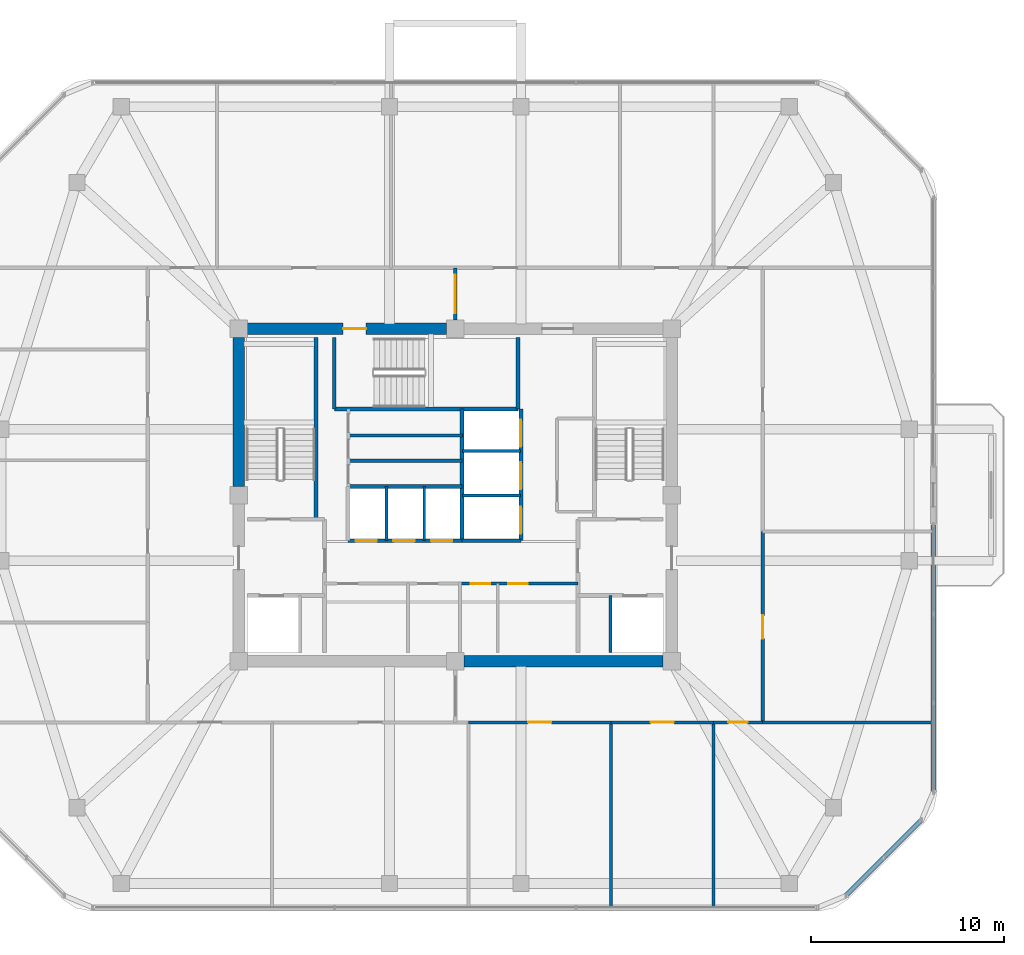
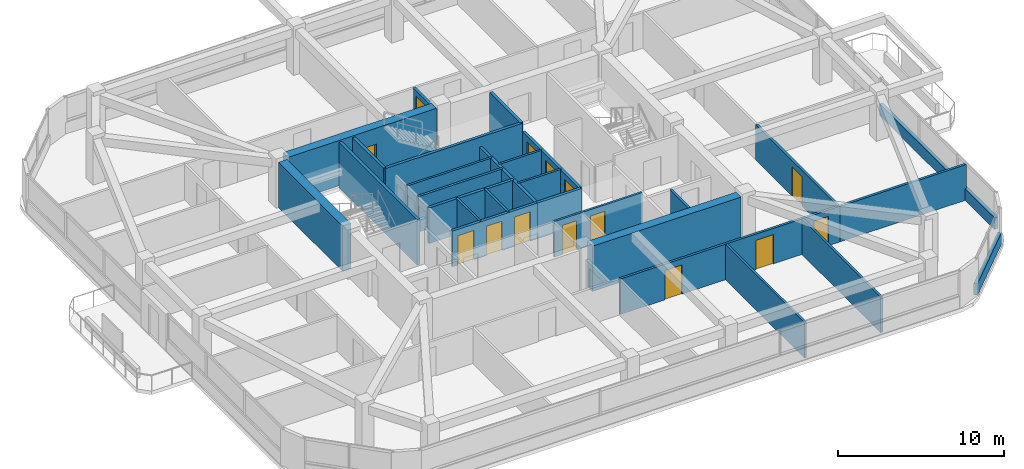
# One storey, part 10 of 14: 30 walls, 14 doors, 14 openings.
"""IFC4 building model written with IfcOpenShell, lengths in metres."""

from ifc_helpers import new_model, si_unit, derived_unit, direction, frame, frame_2d, origin, place, context, subcontext, project, spatial, rectangle, extrude, material, layer, layer_set, type_object, element, fill, save


model = new_model("IFC4")

# Units and contexts
model_context = context("Model", 3, precision=1e-05, world=origin(), true_north=direction((0.0, 1.0)))
body_context = subcontext(model_context, "Body", "Model", "MODEL_VIEW")
ifc_project = project(units=[si_unit("LENGTHUNIT", "METRE"), si_unit("AREAUNIT", "SQUARE_METRE"), si_unit("VOLUMEUNIT", "CUBIC_METRE"), si_unit("PLANEANGLEUNIT", "RADIAN"), si_unit("MASSUNIT", "GRAM", prefix="KILO"), derived_unit("THERMALTRANSMITTANCEUNIT", [(si_unit("POWERUNIT", "WATT"), 1), (si_unit("LENGTHUNIT", "METRE"), -2), (si_unit("THERMODYNAMICTEMPERATUREUNIT", "KELVIN"), -1)])], contexts=[model_context])

# Site, building, storey
site_placement = place(None, origin())
site = spatial("IfcSite", under=ifc_project, at=site_placement, CompositionType="ELEMENT")
building_placement = place(site_placement, origin())
building = spatial("IfcBuilding", under=site, at=building_placement, Name="Koralith Skygarden Medical Center", CompositionType="ELEMENT")
storey_placement = place(building_placement, frame((0.0, 0.0, 242.820068359375)))
storey = spatial("IfcBuildingStorey", under=building, at=storey_placement, Name="L62", CompositionType="ELEMENT", Elevation=242.820068359375)

# Wall, openings, doors
ifc_material_1 = material(Name="Gypsum Board Partition")
ifc_layer_1 = layer(ifc_material_1, 0.14990234375)
ifc_layer_set_1 = layer_set([ifc_layer_1], Name="Gypsum Board Partition")
wall_type_1 = type_object("IfcWallType", Name="Clinical Acoustic Partition 150", PredefinedType="PARTITIONING", material=ifc_layer_set_1)
wall_1_placement = place(storey_placement, frame((37.25, 21.320068359375, 0.0), z_axis=(0.0, 0.0, 1.0), x_axis=(1.0, 0.0, 0.0)))
wall_1 = element("IfcWall", 1, at=wall_1_placement, inside=storey, type_object=wall_type_1, Name="L62 Clinical Acoustic Partition 150 W-CORE-L62-FREED-MR-N", PredefinedType="PARTITIONING", context=body_context, shape_type="SweptSolid", body=[
    extrude(rectangle(XDim=6.10009765625, YDim=0.14990234375, at=frame_2d((3.050048828125, 0.0))), origin(), (0.0, 0.0, 1.0), 2.60986328125),
])
opening_1_placement = place(wall_1_placement, frame((0.550048828125, 0.0, 0.0)))
opening_1 = element("IfcOpeningElement", 2, at=opening_1_placement, cuts=wall_1, Name="Opening D-SUP", PredefinedType="OPENING", context=body_context, shape_type="SweptSolid", body=[
    extrude(rectangle(XDim=1.0, YDim=2.14990234375, at=frame_2d((0.5, 1.074951171875))), frame((0.0, 0.0849609375, 0.0), z_axis=(0.0, -1.0, 0.0), x_axis=(1.0, 0.0, 0.0)), (0.0, 0.0, 1.0), 0.169921875),
])
opening_2_placement = place(wall_1_placement, frame((2.5, 0.0, 0.0)))
opening_2 = element("IfcOpeningElement", 3, at=opening_2_placement, cuts=wall_1, Name="Opening D-SUP", PredefinedType="OPENING", context=body_context, shape_type="SweptSolid", body=[
    extrude(rectangle(XDim=1.0, YDim=2.14990234375, at=frame_2d((0.5, 1.074951171875))), frame((0.0, 0.0849609375, 0.0), z_axis=(0.0, -1.0, 0.0), x_axis=(1.0, 0.0, 0.0)), (0.0, 0.0, 1.0), 0.169921875),
])
ifc_material_2 = material(Name="Aluminium 6063-T6", Category="aluminium")
door_type_1 = type_object("IfcDoorType", Name="Clinical Support Door D-SUP 1000", OperationType="NOTDEFINED", PredefinedType="DOOR", material=ifc_material_2)
door_1_placement = place(opening_1_placement, frame((1.0, 0.0, 0.0), z_axis=(0.0, 0.0, 1.0), x_axis=(-1.0, 0.0, 0.0)))
door_1 = element("IfcDoor", 4, at=door_1_placement, inside=storey, type_object=door_type_1, Name="L62 Satellite Pharmacy Door", OperationType="SINGLE_SWING_LEFT", OverallHeight=2.14990234375, OverallWidth=1.0, PredefinedType="DOOR", context=body_context, shape_type="SweptSolid", body=[
    extrude(rectangle(XDim=1.0, YDim=2.14990234375, at=frame_2d((0.5, 1.074951171875))), frame((0.0, 0.02490234375, 0.0), z_axis=(0.0, -1.0, 0.0), x_axis=(1.0, 0.0, 0.0)), (0.0, 0.0, 1.0), 0.050048828125),
])
fill(opening_1, door_1)
door_2_placement = place(opening_2_placement, frame((1.0, 0.0, 0.0), z_axis=(0.0, 0.0, 1.0), x_axis=(-1.0, 0.0, 0.0)))
door_2 = element("IfcDoor", 5, at=door_2_placement, inside=storey, type_object=door_type_1, Name="L62 Biomedical Equipment Door", OperationType="SINGLE_SWING_RIGHT", OverallHeight=2.14990234375, OverallWidth=1.0, PredefinedType="DOOR", context=body_context, shape_type="SweptSolid", body=[
    extrude(rectangle(XDim=1.0, YDim=2.14990234375, at=frame_2d((0.5, 1.074951171875))), frame((0.0, 0.02490234375, 0.0), z_axis=(0.0, -1.0, 0.0), x_axis=(1.0, 0.0, 0.0)), (0.0, 0.0, 1.0), 0.050048828125),
])
fill(opening_2, door_2)

# Walls
wall_2_placement = place(storey_placement, frame((31.47998046875, 28.97998046875, 0.0), z_axis=(0.0, 0.0, 1.0), x_axis=(1.0, 0.0, 0.0)))
element("IfcWall", 6, at=wall_2_placement, inside=storey, type_object=wall_type_1, Name="L62 Clinical Acoustic Partition 150 W-CORE-L62-FLEX-H1B", PredefinedType="PARTITIONING", context=body_context, shape_type="SweptSolid", body=[
    extrude(rectangle(XDim=5.89013671875, YDim=0.14990234375, at=frame_2d((2.945068359375, 0.0))), origin(), (0.0, 0.0, 1.0), 2.60986328125),
])
for number, where, z_axis, x_axis, name in (
    (7, (45.051025390625, 14.14990234375, 0.0), (0.0, 0.0, 1.0), (0.0, -1.0, 0.0), "L62 Clinical Acoustic Partition 150 W-PART-L62-S-03"),
    (8, (50.35009765625, 14.14990234375, 0.0), (0.0, 0.0, 1.0), (0.0, -1.0, 0.0), "L62 Clinical Acoustic Partition 150 W-PART-L62-S-04"),
):
    element("IfcWall", number, at=place(storey_placement, frame(where, z_axis=z_axis, x_axis=x_axis)), inside=storey, type_object=wall_type_1, Name=name, PredefinedType="PARTITIONING", context=body_context, shape_type="SweptSolid", body=[
        extrude(rectangle(XDim=9.5498046875, YDim=0.14990234375, at=frame_2d((4.77490234375, 0.0))), origin(), (0.0, 0.0, 1.0), 2.60986328125),
    ])
ifc_layer_2 = layer(ifc_material_1, 0.1650390625)
ifc_layer_set_2 = layer_set([ifc_layer_2], Name="Gypsum Board Partition")
wall_type_2 = type_object("IfcWallType", Name="Clinical Corridor Partition 165", PredefinedType="PARTITIONING", material=ifc_layer_set_2)
wall_3_placement = place(storey_placement, frame((52.89990234375, 14.14990234375, 0.0), z_axis=(0.0, 0.0, 1.0), x_axis=(1.0, 0.0, 0.0)))
element("IfcWall", 9, at=wall_3_placement, inside=storey, type_object=wall_type_2, Name="L62 Clinical Corridor Partition 165 W-WB-L62-SE", PredefinedType="PARTITIONING", context=body_context, shape_type="SweptSolid", body=[
    extrude(rectangle(XDim=8.800048828125, YDim=0.1650390625, at=frame_2d((4.39990234375, 0.0))), origin(), (0.0, 0.0, 1.0), 2.60986328125),
])

# Wall, opening, door
wall_4_placement = place(storey_placement, frame((37.69091796875, 14.14990234375, 0.0), z_axis=(0.0, 0.0, 1.0), x_axis=(1.0, 0.0, 0.0)))
wall_4 = element("IfcWall", 10, at=wall_4_placement, inside=storey, type_object=wall_type_2, Name="L62 Clinical Corridor Partition 165 W-CORR-L62-S-03", PredefinedType="PARTITIONING", context=body_context, shape_type="SweptSolid", body=[
    extrude(rectangle(XDim=7.360107421875, YDim=0.1650390625, at=frame_2d((3.68017578125, 0.0))), origin(), (0.0, 0.0, 1.0), 2.60986328125),
])
opening_3_placement = place(wall_4_placement, frame((3.080078125, 0.0, 0.0)))
opening_3 = element("IfcOpeningElement", 11, at=opening_3_placement, cuts=wall_4, Name="Opening D-CLN", PredefinedType="OPENING", context=body_context, shape_type="SweptSolid", body=[
    extrude(rectangle(XDim=1.199951171875, YDim=2.14990234375, at=frame_2d((0.60009765625, 1.074951171875))), frame((0.0, 0.092529296875, 0.0), z_axis=(0.0, -1.0, 0.0), x_axis=(1.0, 0.0, 0.0)), (0.0, 0.0, 1.0), 0.18505859375),
])
door_type_2 = type_object("IfcDoorType", Name="Clinical Corridor Door D-CLN 1200", OperationType="NOTDEFINED", PredefinedType="DOOR", material=ifc_material_2)
door_3_placement = place(opening_3_placement, frame((1.199951171875, 0.0, 0.0), z_axis=(0.0, 0.0, 1.0), x_axis=(-1.0, 0.0, 0.0)))
door_3 = element("IfcDoor", 12, at=door_3_placement, inside=storey, type_object=door_type_2, Name="L62 Clinical Consultation Office 08 Door", OperationType="SINGLE_SWING_LEFT", OverallHeight=2.14990234375, OverallWidth=1.199951171875, PredefinedType="DOOR", context=body_context, shape_type="SweptSolid", body=[
    extrude(rectangle(XDim=1.199951171875, YDim=2.14990234375, at=frame_2d((0.60009765625, 1.074951171875))), frame((0.0, 0.02490234375, 0.0), z_axis=(0.0, -1.0, 0.0), x_axis=(1.0, 0.0, 0.0)), (0.0, 0.0, 1.0), 0.050048828125),
])
fill(opening_3, door_3)

wall_5_placement = place(storey_placement, frame((45.051025390625, 14.14990234375, 0.0), z_axis=(0.0, 0.0, 1.0), x_axis=(1.0, 0.0, 0.0)))
wall_5 = element("IfcWall", 13, at=wall_5_placement, inside=storey, type_object=wall_type_2, Name="L62 Clinical Corridor Partition 165 W-CORR-L62-S-04", PredefinedType="PARTITIONING", context=body_context, shape_type="SweptSolid", body=[
    extrude(rectangle(XDim=5.299072265625, YDim=0.1650390625, at=frame_2d((2.6494140625, 0.0))), origin(), (0.0, 0.0, 1.0), 2.60986328125),
])
opening_4_placement = place(wall_5_placement, frame((2.049072265625, 0.0, 0.0)))
opening_4 = element("IfcOpeningElement", 14, at=opening_4_placement, cuts=wall_5, Name="Opening D-CLN", PredefinedType="OPENING", context=body_context, shape_type="SweptSolid", body=[
    extrude(rectangle(XDim=1.199951171875, YDim=2.14990234375, at=frame_2d((0.60009765625, 1.074951171875))), frame((0.0, 0.092529296875, 0.0), z_axis=(0.0, -1.0, 0.0), x_axis=(1.0, 0.0, 0.0)), (0.0, 0.0, 1.0), 0.18505859375),
])
door_4_placement = place(opening_4_placement, frame((1.199951171875, 0.0, 0.0), z_axis=(0.0, 0.0, 1.0), x_axis=(-1.0, 0.0, 0.0)))
door_4 = element("IfcDoor", 15, at=door_4_placement, inside=storey, type_object=door_type_2, Name="L62 Staff Refreshment and Nutrition Pantry 09 Door", OperationType="SINGLE_SWING_RIGHT", OverallHeight=2.14990234375, OverallWidth=1.199951171875, PredefinedType="DOOR", context=body_context, shape_type="SweptSolid", body=[
    extrude(rectangle(XDim=1.199951171875, YDim=2.14990234375, at=frame_2d((0.60009765625, 1.074951171875))), frame((0.0, 0.02490234375, 0.0), z_axis=(0.0, -1.0, 0.0), x_axis=(1.0, 0.0, 0.0)), (0.0, 0.0, 1.0), 0.050048828125),
])
fill(opening_4, door_4)

wall_6_placement = place(storey_placement, frame((50.35009765625, 14.14990234375, 0.0), z_axis=(0.0, 0.0, 1.0), x_axis=(1.0, 0.0, 0.0)))
wall_6 = element("IfcWall", 16, at=wall_6_placement, inside=storey, type_object=wall_type_2, Name="L62 Clinical Corridor Partition 165 W-CORR-L62-S-05", PredefinedType="PARTITIONING", context=body_context, shape_type="SweptSolid", body=[
    extrude(rectangle(XDim=2.5498046875, YDim=0.1650390625, at=frame_2d((1.27490234375, 0.0))), origin(), (0.0, 0.0, 1.0), 2.60986328125),
])
opening_5_placement = place(wall_6_placement, frame((0.77490234375, 0.0, 0.0)))
opening_5 = element("IfcOpeningElement", 17, at=opening_5_placement, cuts=wall_6, Name="Opening D-SUP", PredefinedType="OPENING", context=body_context, shape_type="SweptSolid", body=[
    extrude(rectangle(XDim=1.0, YDim=2.14990234375, at=frame_2d((0.5, 1.074951171875))), frame((0.0, 0.092529296875, 0.0), z_axis=(0.0, -1.0, 0.0), x_axis=(1.0, 0.0, 0.0)), (0.0, 0.0, 1.0), 0.18505859375),
])
door_5_placement = place(opening_5_placement, frame((1.0, 0.0, 0.0), z_axis=(0.0, 0.0, 1.0), x_axis=(-1.0, 0.0, 0.0)))
door_5 = element("IfcDoor", 18, at=door_5_placement, inside=storey, type_object=door_type_1, Name="L62 Clinical Pharmacist Office 10 Door", OperationType="SINGLE_SWING_LEFT", OverallHeight=2.14990234375, OverallWidth=1.0, PredefinedType="DOOR", context=body_context, shape_type="SweptSolid", body=[
    extrude(rectangle(XDim=1.0, YDim=2.14990234375, at=frame_2d((0.5, 1.074951171875))), frame((0.0, 0.02490234375, 0.0), z_axis=(0.0, -1.0, 0.0), x_axis=(1.0, 0.0, 0.0)), (0.0, 0.0, 1.0), 0.050048828125),
])
fill(opening_5, door_5)

wall_7_placement = place(storey_placement, frame((52.89990234375, 14.14990234375, 0.0), z_axis=(0.0, 0.0, 1.0), x_axis=(0.0, 1.0, 0.0)))
wall_7 = element("IfcWall", 19, at=wall_7_placement, inside=storey, type_object=wall_type_2, Name="L62 Clinical Corridor Partition 165 W-CORR-L62-E-01", PredefinedType="PARTITIONING", context=body_context, shape_type="SweptSolid", body=[
    extrude(rectangle(XDim=9.8701171875, YDim=0.1650390625, at=frame_2d((4.93505859375, 0.0))), origin(), (0.0, 0.0, 1.0), 2.60986328125),
])
opening_6_placement = place(wall_7_placement, frame((4.3349609375, 0.0, 0.0)))
opening_6 = element("IfcOpeningElement", 20, at=opening_6_placement, cuts=wall_7, Name="Opening D-CLN", PredefinedType="OPENING", context=body_context, shape_type="SweptSolid", body=[
    extrude(rectangle(XDim=1.199951171875, YDim=2.14990234375, at=frame_2d((0.60009765625, 1.074951171875))), frame((0.0, 0.092529296875, 0.0), z_axis=(0.0, -1.0, 0.0), x_axis=(1.0, 0.0, 0.0)), (0.0, 0.0, 1.0), 0.18505859375),
])
door_6_placement = place(opening_6_placement, origin())
door_6 = element("IfcDoor", 21, at=door_6_placement, inside=storey, type_object=door_type_2, Name="L62 Clinical Pharmacist Office 15 Door", OperationType="SINGLE_SWING_RIGHT", OverallHeight=2.14990234375, OverallWidth=1.199951171875, PredefinedType="DOOR", context=body_context, shape_type="SweptSolid", body=[
    extrude(rectangle(XDim=1.199951171875, YDim=2.14990234375, at=frame_2d((0.60009765625, 1.074951171875))), frame((0.0, 0.02490234375, 0.0), z_axis=(0.0, -1.0, 0.0), x_axis=(1.0, 0.0, 0.0)), (0.0, 0.0, 1.0), 0.050048828125),
])
fill(opening_6, door_6)

# Wall, openings, doors
ifc_layer_3 = layer(ifc_material_1, 0.199951171875)
ifc_layer_set_3 = layer_set([ifc_layer_3], Name="Gypsum Board Partition")
wall_type_3 = type_object("IfcWallType", Name="Fire Shaft Wall 200", PredefinedType="SOLIDWALL", material=ifc_layer_set_3)
wall_8_placement = place(storey_placement, frame((31.449951171875, 23.5400390625, 0.0), z_axis=(0.0, 0.0, 1.0), x_axis=(1.0, 0.0, 0.0)))
wall_8 = element("IfcWall", 22, at=wall_8_placement, inside=storey, type_object=wall_type_3, Name="L62 Fire Shaft Wall 200 W-CORE-L62-PH-S", PredefinedType="SOLIDWALL", context=body_context, shape_type="SweptSolid", body=[
    extrude(rectangle(XDim=5.900146484375, YDim=0.199951171875, at=frame_2d((2.9501953125, 0.0))), origin(), (0.0, 0.0, 1.0), 2.60986328125),
])
opening_7_placement = place(wall_8_placement, frame((0.39990234375, 0.0, 0.0)))
opening_7 = element("IfcOpeningElement", 23, at=opening_7_placement, cuts=wall_8, Name="Opening LD-P", PredefinedType="OPENING", context=body_context, shape_type="SweptSolid", body=[
    extrude(rectangle(XDim=1.10009765625, YDim=2.14990234375, at=frame_2d((0.550048828125, 1.074951171875))), frame((0.0, 0.10986328125, 0.0), z_axis=(0.0, -1.0, 0.0), x_axis=(1.0, 0.0, 0.0)), (0.0, 0.0, 1.0), 0.219970703125),
])
opening_8_placement = place(wall_8_placement, frame((2.35009765625, 0.0, 0.0)))
opening_8 = element("IfcOpeningElement", 24, at=opening_8_placement, cuts=wall_8, Name="Opening LD-P", PredefinedType="OPENING", context=body_context, shape_type="SweptSolid", body=[
    extrude(rectangle(XDim=1.10009765625, YDim=2.14990234375, at=frame_2d((0.550048828125, 1.074951171875))), frame((0.0, 0.10986328125, 0.0), z_axis=(0.0, -1.0, 0.0), x_axis=(1.0, 0.0, 0.0)), (0.0, 0.0, 1.0), 0.219970703125),
])
opening_9_placement = place(wall_8_placement, frame((4.300048828125, 0.0, 0.0)))
opening_9 = element("IfcOpeningElement", 25, at=opening_9_placement, cuts=wall_8, Name="Opening LD-P", PredefinedType="OPENING", context=body_context, shape_type="SweptSolid", body=[
    extrude(rectangle(XDim=1.10009765625, YDim=2.14990234375, at=frame_2d((0.550048828125, 1.074951171875))), frame((0.0, 0.10986328125, 0.0), z_axis=(0.0, -1.0, 0.0), x_axis=(1.0, 0.0, 0.0)), (0.0, 0.0, 1.0), 0.219970703125),
])
ifc_material_3 = material(Name="Steel ASTM A500 Grade C", Category="steel")
door_type_3 = type_object("IfcDoorType", Name="Passenger Lift Sliding Landing Door LD-P 1100", OperationType="NOTDEFINED", PredefinedType="DOOR", material=ifc_material_3)
door_7_placement = place(opening_7_placement, origin())
door_7 = element("IfcDoor", 26, at=door_7_placement, inside=storey, type_object=door_type_3, Name="L62 Passenger Elevator PH1 Landing Door", OperationType="SLIDING_TO_RIGHT", OverallHeight=2.14990234375, OverallWidth=1.10009765625, PredefinedType="DOOR", context=body_context, shape_type="SweptSolid", body=[
    extrude(rectangle(XDim=1.10009765625, YDim=2.14990234375, at=frame_2d((0.550048828125, 1.074951171875))), frame((0.0, 0.02490234375, 0.0), z_axis=(0.0, -1.0, 0.0), x_axis=(1.0, 0.0, 0.0)), (0.0, 0.0, 1.0), 0.050048828125),
])
fill(opening_7, door_7)
door_8_placement = place(opening_8_placement, origin())
door_8 = element("IfcDoor", 27, at=door_8_placement, inside=storey, type_object=door_type_3, Name="L62 Passenger Elevator PH2 Landing Door", OperationType="SLIDING_TO_RIGHT", OverallHeight=2.14990234375, OverallWidth=1.10009765625, PredefinedType="DOOR", context=body_context, shape_type="SweptSolid", body=[
    extrude(rectangle(XDim=1.10009765625, YDim=2.14990234375, at=frame_2d((0.550048828125, 1.074951171875))), frame((0.0, 0.02490234375, 0.0), z_axis=(0.0, -1.0, 0.0), x_axis=(1.0, 0.0, 0.0)), (0.0, 0.0, 1.0), 0.050048828125),
])
fill(opening_8, door_8)
door_9_placement = place(opening_9_placement, origin())
door_9 = element("IfcDoor", 28, at=door_9_placement, inside=storey, type_object=door_type_3, Name="L62 Passenger Elevator PH3 Landing Door", OperationType="SLIDING_TO_RIGHT", OverallHeight=2.14990234375, OverallWidth=1.10009765625, PredefinedType="DOOR", context=body_context, shape_type="SweptSolid", body=[
    extrude(rectangle(XDim=1.10009765625, YDim=2.14990234375, at=frame_2d((0.550048828125, 1.074951171875))), frame((0.0, 0.02490234375, 0.0), z_axis=(0.0, -1.0, 0.0), x_axis=(1.0, 0.0, 0.0)), (0.0, 0.0, 1.0), 0.050048828125),
])
fill(opening_9, door_9)

# Walls
wall_9_placement = place(storey_placement, frame((31.449951171875, 26.35009765625, 0.0), z_axis=(0.0, 0.0, 1.0), x_axis=(1.0, 0.0, 0.0)))
element("IfcWall", 29, at=wall_9_placement, inside=storey, type_object=wall_type_3, Name="L62 Fire Shaft Wall 200 W-CORE-L62-PH-N", PredefinedType="SOLIDWALL", context=body_context, shape_type="SweptSolid", body=[
    extrude(rectangle(XDim=5.900146484375, YDim=0.199951171875, at=frame_2d((2.9501953125, 0.0))), origin(), (0.0, 0.0, 1.0), 2.60986328125),
])
wall_10_placement = place(storey_placement, frame((37.35009765625, 23.5400390625, 0.0), z_axis=(0.0, 0.0, 1.0), x_axis=(0.0, 1.0, 0.0)))
element("IfcWall", 30, at=wall_10_placement, inside=storey, type_object=wall_type_3, Name="L62 Fire Shaft Wall 200 W-CORE-L62-SV-W", PredefinedType="SOLIDWALL", context=body_context, shape_type="SweptSolid", body=[
    extrude(rectangle(XDim=6.820068359375, YDim=0.199951171875, at=frame_2d((3.41015625, 0.0))), origin(), (0.0, 0.0, 1.0), 2.60986328125),
])
wall_11_placement = place(storey_placement, frame((37.35009765625, 23.5400390625, 0.0), z_axis=(0.0, 0.0, 1.0), x_axis=(1.0, 0.0, 0.0)))
element("IfcWall", 31, at=wall_11_placement, inside=storey, type_object=wall_type_3, Name="L62 Fire Shaft Wall 200 W-CORE-L62-SV-S", PredefinedType="SOLIDWALL", context=body_context, shape_type="SweptSolid", body=[
    extrude(rectangle(XDim=3.0498046875, YDim=0.199951171875, at=frame_2d((1.52490234375, 0.0))), origin(), (0.0, 0.0, 1.0), 2.60986328125),
])

# Wall, openings, doors
wall_12_placement = place(storey_placement, frame((40.39990234375, 23.5400390625, 0.0), z_axis=(0.0, 0.0, 1.0), x_axis=(0.0, 1.0, 0.0)))
wall_12 = element("IfcWall", 32, at=wall_12_placement, inside=storey, type_object=wall_type_3, Name="L62 Fire Shaft Wall 200 W-CORE-L62-SV-E", PredefinedType="SOLIDWALL", context=body_context, shape_type="SweptSolid", body=[
    extrude(rectangle(XDim=6.820068359375, YDim=0.199951171875, at=frame_2d((3.41015625, 0.0))), origin(), (0.0, 0.0, 1.0), 2.60986328125),
])
opening_10_placement = place(wall_12_placement, frame((0.35009765625, 0.0, 0.0)))
opening_10 = element("IfcOpeningElement", 33, at=opening_10_placement, cuts=wall_12, Name="Opening LD-SV", PredefinedType="OPENING", context=body_context, shape_type="SweptSolid", body=[
    extrude(rectangle(XDim=1.39990234375, YDim=2.199951171875, at=frame_2d((0.699951171875, 1.10009765625))), frame((0.0, 0.10986328125, 0.0), z_axis=(0.0, -1.0, 0.0), x_axis=(1.0, 0.0, 0.0)), (0.0, 0.0, 1.0), 0.219970703125),
])
opening_11_placement = place(wall_12_placement, frame((2.64990234375, 0.0, 0.0)))
opening_11 = element("IfcOpeningElement", 34, at=opening_11_placement, cuts=wall_12, Name="Opening LD-SV", PredefinedType="OPENING", context=body_context, shape_type="SweptSolid", body=[
    extrude(rectangle(XDim=1.39990234375, YDim=2.199951171875, at=frame_2d((0.699951171875, 1.10009765625))), frame((0.0, 0.10986328125, 0.0), z_axis=(0.0, -1.0, 0.0), x_axis=(1.0, 0.0, 0.0)), (0.0, 0.0, 1.0), 0.219970703125),
])
opening_12_placement = place(wall_12_placement, frame((4.85009765625, 0.0, 0.0)))
opening_12 = element("IfcOpeningElement", 35, at=opening_12_placement, cuts=wall_12, Name="Opening LD-SV", PredefinedType="OPENING", context=body_context, shape_type="SweptSolid", body=[
    extrude(rectangle(XDim=1.39990234375, YDim=2.199951171875, at=frame_2d((0.699951171875, 1.10009765625))), frame((0.0, 0.10986328125, 0.0), z_axis=(0.0, -1.0, 0.0), x_axis=(1.0, 0.0, 0.0)), (0.0, 0.0, 1.0), 0.219970703125),
])
door_type_4 = type_object("IfcDoorType", Name="Bed Lift Sliding Landing Door LD-SV 1400", OperationType="NOTDEFINED", PredefinedType="DOOR", material=ifc_material_3)
door_10_placement = place(opening_10_placement, origin())
door_10 = element("IfcDoor", 36, at=door_10_placement, inside=storey, type_object=door_type_4, Name="L62 Bed Elevator BD1 Landing Door", OperationType="SLIDING_TO_LEFT", OverallHeight=2.199951171875, OverallWidth=1.39990234375, PredefinedType="DOOR", context=body_context, shape_type="SweptSolid", body=[
    extrude(rectangle(XDim=1.39990234375, YDim=2.199951171875, at=frame_2d((0.699951171875, 1.10009765625))), frame((0.0, 0.02490234375, 0.0), z_axis=(0.0, -1.0, 0.0), x_axis=(1.0, 0.0, 0.0)), (0.0, 0.0, 1.0), 0.050048828125),
])
fill(opening_10, door_10)
door_11_placement = place(opening_11_placement, origin())
door_11 = element("IfcDoor", 37, at=door_11_placement, inside=storey, type_object=door_type_4, Name="L62 Service Elevator BD2 Landing Door", OperationType="SLIDING_TO_LEFT", OverallHeight=2.199951171875, OverallWidth=1.39990234375, PredefinedType="DOOR", context=body_context, shape_type="SweptSolid", body=[
    extrude(rectangle(XDim=1.39990234375, YDim=2.199951171875, at=frame_2d((0.699951171875, 1.10009765625))), frame((0.0, 0.02490234375, 0.0), z_axis=(0.0, -1.0, 0.0), x_axis=(1.0, 0.0, 0.0)), (0.0, 0.0, 1.0), 0.050048828125),
])
fill(opening_11, door_11)
door_12_placement = place(opening_12_placement, origin())
door_12 = element("IfcDoor", 38, at=door_12_placement, inside=storey, type_object=door_type_4, Name="L62 Trauma Elevator TR1 Landing Door", OperationType="SLIDING_TO_RIGHT", OverallHeight=2.199951171875, OverallWidth=1.39990234375, PredefinedType="DOOR", context=body_context, shape_type="SweptSolid", body=[
    extrude(rectangle(XDim=1.39990234375, YDim=2.199951171875, at=frame_2d((0.699951171875, 1.10009765625))), frame((0.0, 0.02490234375, 0.0), z_axis=(0.0, -1.0, 0.0), x_axis=(1.0, 0.0, 0.0)), (0.0, 0.0, 1.0), 0.050048828125),
])
fill(opening_12, door_12)

# Wall, opening, door
ifc_layer_4 = layer(ifc_material_1, 0.179931640625)
ifc_layer_set_4 = layer_set([ifc_layer_4], Name="Gypsum Board Partition")
wall_type_4 = type_object("IfcWallType", Name="Group I-2 Smoke Barrier Wall 180", PredefinedType="PARTITIONING", material=ifc_layer_set_4)
wall_13_placement = place(storey_placement, frame((37.0, 34.949951171875, 0.0), z_axis=(0.0, 0.0, 1.0), x_axis=(0.0, 1.0, 0.0)))
wall_13 = element("IfcWall", 39, at=wall_13_placement, inside=storey, type_object=wall_type_4, Name="L62 Group I-2 Smoke Barrier Wall 180 W-SMK-L62-N", PredefinedType="PARTITIONING", context=body_context, shape_type="SweptSolid", body=[
    extrude(rectangle(XDim=2.699951171875, YDim=0.179931640625, at=frame_2d((1.35009765625, 0.0))), origin(), (0.0, 0.0, 1.0), 2.60986328125),
])
opening_13_placement = place(wall_13_placement, frame((0.35009765625, 0.0, 0.0)))
opening_13 = element("IfcOpeningElement", 40, at=opening_13_placement, cuts=wall_13, Name="Opening D-SMK", PredefinedType="OPENING", context=body_context, shape_type="SweptSolid", body=[
    extrude(rectangle(XDim=2.0, YDim=2.199951171875, at=frame_2d((1.0, 1.10009765625))), frame((0.0, 0.099853515625, 0.0), z_axis=(0.0, -1.0, 0.0), x_axis=(1.0, 0.0, 0.0)), (0.0, 0.0, 1.0), 0.199951171875),
])
door_type_5 = type_object("IfcDoorType", Name="Cross-Corridor Double Smoke Door FD60S 2000", OperationType="NOTDEFINED", PredefinedType="DOOR", material=ifc_material_3)
door_13_placement = place(opening_13_placement, origin())
door_13 = element("IfcDoor", 41, at=door_13_placement, inside=storey, type_object=door_type_5, Name="L62 N Smoke Compartment Cross-Corridor Door", OperationType="DOUBLE_DOOR_SINGLE_SWING", OverallHeight=2.199951171875, OverallWidth=2.0, PredefinedType="DOOR", context=body_context, shape_type="SweptSolid", body=[
    extrude(rectangle(XDim=2.0, YDim=2.199951171875, at=frame_2d((1.0, 1.10009765625))), frame((0.0, 0.02490234375, 0.0), z_axis=(0.0, -1.0, 0.0), x_axis=(1.0, 0.0, 0.0)), (0.0, 0.0, 1.0), 0.050048828125),
])
fill(opening_13, door_13)

# Walls
ifc_material_4 = material(Name="Warm Oolitic Limestone Cladding", Category="masonry")
ifc_layer_5 = layer(ifc_material_4, 0.239990234375)
ifc_layer_set_5 = layer_set([ifc_layer_5], Name="Warm Oolitic Limestone Cladding")
wall_type_5 = type_object("IfcWallType", Name="Limestone Spandrel Sill Backup Wall 240", PredefinedType="SOLIDWALL", material=ifc_layer_set_5)
wall_14_placement = place(storey_placement, frame((57.196044921875, 5.180908203125, 0.0), z_axis=(0.0, 0.0, 1.0), x_axis=(0.707084777957, 0.707128783731, 0.0)))
element("IfcWall", 42, at=wall_14_placement, inside=storey, type_object=wall_type_5, Name="L62 Sill Spandrel SE", PredefinedType="SOLIDWALL", context=body_context, shape_type="SweptSolid", body=[
    extrude(rectangle(XDim=5.5478515625, YDim=0.239990234375, at=frame_2d((2.77392578125, 0.0))), origin(), (0.0, 0.0, 1.0), 0.849853515625),
])
wall_15_placement = place(storey_placement, frame((61.719970703125, 10.554931640625, 0.0), z_axis=(0.0, 0.0, 1.0), x_axis=(0.0, 1.0, 0.0)))
element("IfcWall", 43, at=wall_15_placement, inside=storey, type_object=wall_type_5, Name="L62 Sill Spandrel E-L", PredefinedType="SOLIDWALL", context=body_context, shape_type="SweptSolid", body=[
    extrude(rectangle(XDim=13.80517578125, YDim=0.239990234375, at=frame_2d((6.902587890625, 0.0))), origin(), (0.0, 0.0, 1.0), 0.849853515625),
])
ifc_layer_6 = layer(ifc_material_1, 0.1650390625)
ifc_layer_set_6 = layer_set([ifc_layer_6], Name="Gypsum Board Partition")
wall_type_6 = type_object("IfcWallType", Name="Plumbing Wet Wall 165", PredefinedType="PLUMBINGWALL", material=ifc_layer_set_6)
wall_16_placement = place(storey_placement, frame((31.47998046875, 27.679931640625, 0.0), z_axis=(0.0, 0.0, 1.0), x_axis=(1.0, 0.0, 0.0)))
element("IfcWall", 44, at=wall_16_placement, inside=storey, type_object=wall_type_6, Name="L62 Plumbing Wet Wall 165 W-CORE-L62-FLEX-H1A", PredefinedType="PLUMBINGWALL", context=body_context, shape_type="SweptSolid", body=[
    extrude(rectangle(XDim=5.8701171875, YDim=0.1650390625, at=frame_2d((2.93505859375, 0.0))), origin(), (0.0, 0.0, 1.0), 2.60986328125),
])
ifc_layer_7 = layer(ifc_material_1, 0.14990234375)
ifc_layer_set_7 = layer_set([ifc_layer_7], Name="Gypsum Board Partition")
wall_type_7 = type_object("IfcWallType", Name="Shaft Partition Wall 150", PredefinedType="PARTITIONING", material=ifc_layer_set_7)
wall_17_placement = place(storey_placement, frame((45.02001953125, 17.75, 0.0), z_axis=(0.0, 0.0, 1.0), x_axis=(0.0, 1.0, 0.0)))
element("IfcWall", 45, at=wall_17_placement, inside=storey, type_object=wall_type_7, Name="L62 Shaft Partition Wall 150 W-CORE-L62-RSRE-DIV", PredefinedType="PARTITIONING", context=body_context, shape_type="SweptSolid", body=[
    extrude(rectangle(XDim=2.949951171875, YDim=0.14990234375, at=frame_2d((1.47509765625, 0.0))), origin(), (0.0, 0.0, 1.0), 2.60986328125),
])
for number, where, z_axis, x_axis, name in (
    (46, (33.449951171875, 23.5400390625, 0.0), (0.0, 0.0, 1.0), (0.0, 1.0, 0.0), "L62 Shaft Partition Wall 150 W-CORE-L62-PH-D1"),
    (47, (35.39990234375, 23.5400390625, 0.0), (0.0, 0.0, 1.0), (0.0, 1.0, 0.0), "L62 Shaft Partition Wall 150 W-CORE-L62-PH-D2"),
):
    element("IfcWall", number, at=place(storey_placement, frame(where, z_axis=z_axis, x_axis=x_axis)), inside=storey, type_object=wall_type_7, Name=name, PredefinedType="PARTITIONING", context=body_context, shape_type="SweptSolid", body=[
        extrude(rectangle(XDim=2.81005859375, YDim=0.14990234375, at=frame_2d((1.405029296875, 0.0))), origin(), (0.0, 0.0, 1.0), 2.60986328125),
    ])
for number, where, z_axis, x_axis, name in (
    (48, (37.3701171875, 25.8701171875, 0.0), (0.0, 0.0, 1.0), (1.0, 0.0, 0.0), "L62 Shaft Partition Wall 150 W-CORE-L62-SV-D1"),
    (49, (37.3701171875, 28.169921875, 0.0), (0.0, 0.0, 1.0), (1.0, 0.0, 0.0), "L62 Shaft Partition Wall 150 W-CORE-L62-SV-D2"),
):
    element("IfcWall", number, at=place(storey_placement, frame(where, z_axis=z_axis, x_axis=x_axis)), inside=storey, type_object=wall_type_7, Name=name, PredefinedType="PARTITIONING", context=body_context, shape_type="SweptSolid", body=[
        extrude(rectangle(XDim=3.009765625, YDim=0.14990234375, at=frame_2d((1.5048828125, 0.0))), origin(), (0.0, 0.0, 1.0), 2.60986328125),
    ])
ifc_material_5 = material(Name="Concrete C45/55", Category="concrete")
ifc_layer_8 = layer(ifc_material_5, 0.199951171875)
ifc_layer_set_8 = layer_set([ifc_layer_8], Name="Concrete C45/55")
wall_type_8 = type_object("IfcWallType", Name="Structural Stair Shaft Wall 200", PredefinedType="SHEAR", material=ifc_layer_set_8)
wall_18_placement = place(storey_placement, frame((29.800048828125, 24.64990234375, 0.0), z_axis=(0.0, 0.0, 1.0), x_axis=(0.0, 1.0, 0.0)))
element("IfcWall", 50, at=wall_18_placement, inside=storey, type_object=wall_type_8, Name="L62 Structural Stair Shaft Wall 200 W-CORE-L62-ST1-E", PredefinedType="SHEAR", context=body_context, shape_type="SweptSolid", body=[
    extrude(rectangle(XDim=9.400146484375, YDim=0.199951171875, at=frame_2d((4.7001953125, 0.0))), origin(), (0.0, 0.0, 1.0), 3.31982421875),
])
wall_19_placement = place(storey_placement, frame((30.75, 30.360107421875, 0.0), z_axis=(0.0, 0.0, 1.0), x_axis=(1.0, 0.0, 0.0)))
element("IfcWall", 51, at=wall_19_placement, inside=storey, type_object=wall_type_8, Name="L62 Structural Stair Shaft Wall 200 W-CORE-L62-ST3-S", PredefinedType="SHEAR", context=body_context, shape_type="SweptSolid", body=[
    extrude(rectangle(XDim=9.5, YDim=0.199951171875, at=frame_2d((4.75, 0.0))), origin(), (0.0, 0.0, 1.0), 3.31982421875),
])
for number, where, z_axis, x_axis, name in (
    (52, (30.75, 30.360107421875, 0.0), (0.0, 0.0, 1.0), (0.0, 1.0, 0.0), "L62 Structural Stair Shaft Wall 200 W-CORE-L62-ST3-W"),
    (53, (40.25, 30.360107421875, 0.0), (0.0, 0.0, 1.0), (0.0, 1.0, 0.0), "L62 Structural Stair Shaft Wall 200 W-CORE-L62-ST3-E"),
):
    element("IfcWall", number, at=place(storey_placement, frame(where, z_axis=z_axis, x_axis=x_axis)), inside=storey, type_object=wall_type_8, Name=name, PredefinedType="SHEAR", context=body_context, shape_type="SweptSolid", body=[
        extrude(rectangle(XDim=3.68994140625, YDim=0.199951171875, at=frame_2d((1.844970703125, 0.0))), origin(), (0.0, 0.0, 1.0), 3.31982421875),
    ])
ifc_material_6 = material(Name="Concrete C55/67", Category="concrete")
ifc_layer_9 = layer(ifc_material_6, 0.60009765625)
ifc_layer_set_9 = layer_set([ifc_layer_9], Name="Concrete C55/67")
wall_type_9 = type_object("IfcWallType", Name="Upper Core Shear Wall 600", PredefinedType="SHEAR", material=ifc_layer_set_9)
wall_20_placement = place(storey_placement, frame((37.445068359375, 17.300048828125, 0.0), z_axis=(0.0, 0.0, 1.0), x_axis=(1.0, 0.0, 0.0)))
element("IfcWall", 54, at=wall_20_placement, inside=storey, type_object=wall_type_9, Name="L62 Core Shear Wall Segment 2", PredefinedType="SHEAR", context=body_context, shape_type="SweptSolid", body=[
    extrude(rectangle(XDim=10.309814453125, YDim=0.60009765625, at=frame_2d((5.15478515625, 0.0))), origin(), (0.0, 0.0, 1.0), 3.31982421875),
])

# Wall, opening, door
wall_21_placement = place(storey_placement, frame((36.554931640625, 34.5, 0.0), z_axis=(0.0, 0.0, 1.0), x_axis=(-1.0, 0.0, 0.0)))
wall_21 = element("IfcWall", 55, at=wall_21_placement, inside=storey, type_object=wall_type_9, Name="L62 Core Shear Wall Segment 6", PredefinedType="SHEAR", context=body_context, shape_type="SweptSolid", body=[
    extrude(rectangle(XDim=10.309814453125, YDim=0.60009765625, at=frame_2d((5.15478515625, 0.0))), origin(), (0.0, 0.0, 1.0), 3.31982421875),
])
opening_14_placement = place(wall_21_placement, frame((4.155029296875, 0.0, 0.0)))
opening_14 = element("IfcOpeningElement", 56, at=opening_14_placement, cuts=wall_21, Name="Opening D-ST60", PredefinedType="OPENING", context=body_context, shape_type="SweptSolid", body=[
    extrude(rectangle(XDim=1.199951171875, YDim=2.14990234375, at=frame_2d((0.60009765625, 1.074951171875))), frame((0.0, 0.31005859375, 0.0), z_axis=(0.0, -1.0, 0.0), x_axis=(1.0, 0.0, 0.0)), (0.0, 0.0, 1.0), 0.6201171875),
])
door_type_6 = type_object("IfcDoorType", Name="Smokeproof Stair Fire Door FD60S 1200", OperationType="NOTDEFINED", PredefinedType="DOOR", material=ifc_material_3)
door_14_placement = place(opening_14_placement, frame((1.199951171875, 0.0, 0.0), z_axis=(0.0, 0.0, 1.0), x_axis=(-1.0, 0.0, 0.0)))
door_14 = element("IfcDoor", 57, at=door_14_placement, inside=storey, type_object=door_type_6, Name="L62 Exit Stair ST3 Fire Door", OperationType="SINGLE_SWING_LEFT", OverallHeight=2.14990234375, OverallWidth=1.199951171875, PredefinedType="DOOR", context=body_context, shape_type="SweptSolid", body=[
    extrude(rectangle(XDim=1.199951171875, YDim=2.14990234375, at=frame_2d((0.60009765625, 1.074951171875))), frame((0.0, 0.02490234375, 0.0), z_axis=(0.0, -1.0, 0.0), x_axis=(1.0, 0.0, 0.0)), (0.0, 0.0, 1.0), 0.050048828125),
])
fill(opening_14, door_14)

# Wall
wall_22_placement = place(storey_placement, frame((25.800048828125, 34.054931640625, 0.0), z_axis=(0.0, 0.0, 1.0), x_axis=(0.0, -1.0, 0.0)))
element("IfcWall", 58, at=wall_22_placement, inside=storey, type_object=wall_type_9, Name="L62 Core Shear Wall Segment 7", PredefinedType="SHEAR", context=body_context, shape_type="SweptSolid", body=[
    extrude(rectangle(XDim=7.7099609375, YDim=0.60009765625, at=frame_2d((3.85498046875, 0.0))), origin(), (0.0, 0.0, 1.0), 3.31982421875),
])

save(model, "model.ifc")
